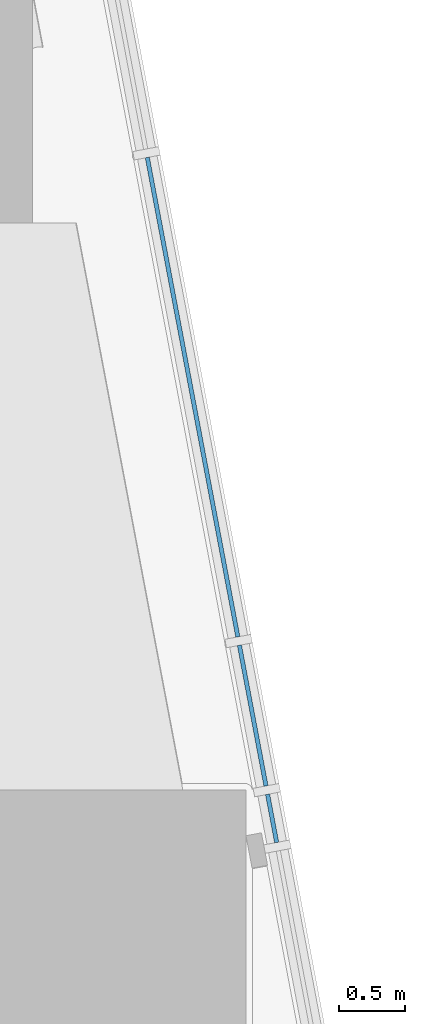
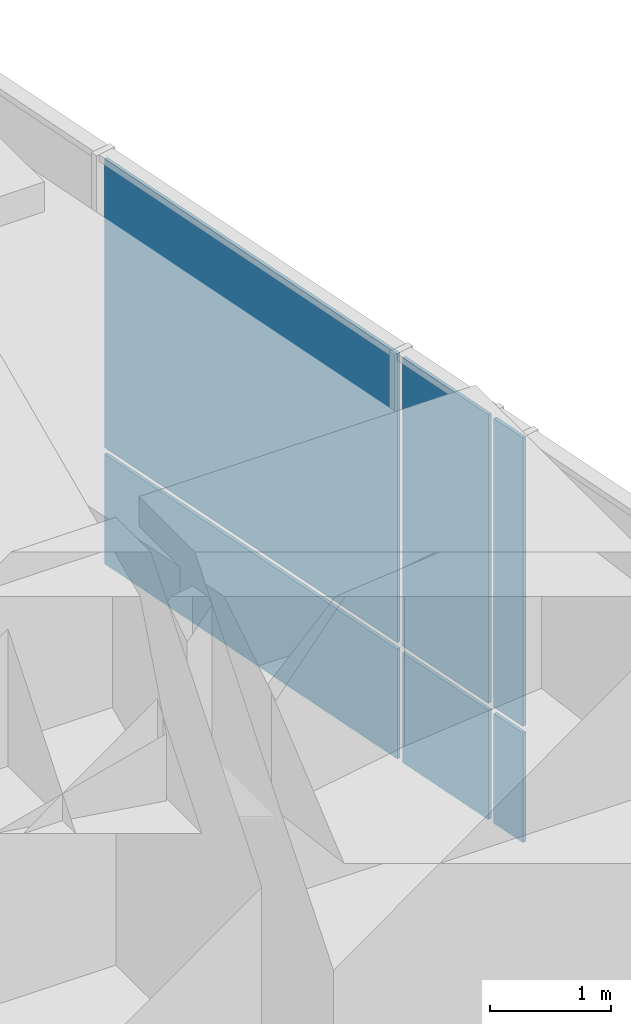
# One storey, part 11 of 23: 6 plates, 1 element without a shape of its own.
"""IFC4 building model written with IfcOpenShell, lengths in metres."""

from ifc_helpers import new_model, si_unit, direction, frame, origin, origin_2d, place, context, subcontext, project, spatial, rectangle, extrude, material, layer, layer_set, type_object, element, aggregate, save


model = new_model("IFC4")

# Units and contexts
model_context = context("Model", 3, precision=1e-05, world=origin(), true_north=direction((0.0, 1.0)))
body_context = subcontext(model_context, "Body", "Model", "MODEL_VIEW")
ifc_project = project(units=[si_unit("LENGTHUNIT", "METRE"), si_unit("AREAUNIT", "SQUARE_METRE"), si_unit("VOLUMEUNIT", "CUBIC_METRE"), si_unit("PLANEANGLEUNIT", "RADIAN"), si_unit("MASSUNIT", "GRAM", prefix="KILO")], contexts=[model_context])

# Site, building, storey
site_placement = place(None, origin())
site = spatial("IfcSite", under=ifc_project, at=site_placement, CompositionType="ELEMENT")
building_placement = place(site_placement, origin())
building = spatial("IfcBuilding", under=site, at=building_placement, Name="Sheger Commons Tower", CompositionType="ELEMENT")
storey_placement = place(building_placement, frame((0.0, 0.0, 5.60009765625)))
storey = spatial("IfcBuildingStorey", under=building, at=storey_placement, Name="L01", CompositionType="ELEMENT", Elevation=5.60009765625)

# Curtain wall, plates
ifc_material_1 = material(Name="Black aluminium curtain wall, dark tinted glazing", Category="aluminium")
curtain_wall_type = type_object("IfcCurtainWallType", Name="CURTAIN WALL CW2 HEALTH CENTRE", PredefinedType="USERDEFINED", material=ifc_material_1)
curtain_wall_placement = place(storey_placement, origin())
curtain_wall = element("IfcCurtainWall", 1, at=curtain_wall_placement, inside=storey, type_object=curtain_wall_type, Name="Curtain Wall Cw2 Health Centre E1 L01", ObjectType="STICK CURTAIN WALL", PredefinedType="USERDEFINED")
ifc_material_2 = material(Name="Dark tinted double glazing", Category="glass")
ifc_layer = layer(ifc_material_2, 0.031982421875)
ifc_layer_set = layer_set([ifc_layer], Name="GLAZED PANEL 32")
plate_type = type_object("IfcPlateType", Name="GLAZED PANEL 32", PredefinedType="CURTAIN_PANEL", material=ifc_layer_set)
plate_1_placement = place(storey_placement, frame((48.113037109375, 16.149169921875, 0.06494140625), z_axis=(0.0, 0.0, 1.0), x_axis=(-0.185609884918, 0.982623514181, 0.0)))
plate_1 = element("IfcPlate", 2, at=plate_1_placement, type_object=plate_type, Name="CW2 panel 6.1", PredefinedType="CURTAIN_PANEL", context=body_context, shape_type="SweptSolid", body=[
    extrude(rectangle(XDim=0.37109375, YDim=0.031982421875, at=origin_2d()), origin(), (0.0, 0.0, 1.0), 1.1025390625),
])
plate_2_placement = place(storey_placement, frame((48.113037109375, 16.149169921875, 1.232421875), z_axis=(0.0, 0.0, 1.0), x_axis=(-0.185609884918, 0.982623514181, 0.0)))
plate_2 = element("IfcPlate", 3, at=plate_2_placement, type_object=plate_type, Name="CW2 panel 6.2", PredefinedType="CURTAIN_PANEL", context=body_context, shape_type="SweptSolid", body=[
    extrude(rectangle(XDim=0.37109375, YDim=0.031982421875, at=origin_2d()), origin(), (0.0, 0.0, 1.0), 2.902587890625),
])
plate_3_placement = place(storey_placement, frame((47.9658203125, 16.928466796875, 0.06494140625), z_axis=(0.0, 0.0, 1.0), x_axis=(-0.185609884918, 0.982623514181, 0.0)))
plate_3 = element("IfcPlate", 4, at=plate_3_placement, type_object=plate_type, Name="CW2 panel 7.1", PredefinedType="CURTAIN_PANEL", context=body_context, shape_type="SweptSolid", body=[
    extrude(rectangle(XDim=1.0849609375, YDim=0.031982421875, at=origin_2d()), origin(), (0.0, 0.0, 1.0), 1.1025390625),
])
plate_4_placement = place(storey_placement, frame((47.9658203125, 16.928466796875, 1.232421875), z_axis=(0.0, 0.0, 1.0), x_axis=(-0.185609884918, 0.982623514181, 0.0)))
plate_4 = element("IfcPlate", 5, at=plate_4_placement, type_object=plate_type, Name="CW2 panel 7.2", PredefinedType="CURTAIN_PANEL", context=body_context, shape_type="SweptSolid", body=[
    extrude(rectangle(XDim=1.0849609375, YDim=0.031982421875, at=origin_2d()), origin(), (0.0, 0.0, 1.0), 2.902587890625),
])
plate_5_placement = place(storey_placement, frame((47.510009765625, 19.34228515625, 0.06494140625), z_axis=(0.0, 0.0, 1.0), x_axis=(-0.185609884918, 0.982623514181, 0.0)))
plate_5 = element("IfcPlate", 6, at=plate_5_placement, type_object=plate_type, Name="CW2 panel 8.1", PredefinedType="CURTAIN_PANEL", context=body_context, shape_type="SweptSolid", body=[
    extrude(rectangle(XDim=3.697998046875, YDim=0.031982421875, at=origin_2d()), origin(), (0.0, 0.0, 1.0), 1.1025390625),
])
plate_6_placement = place(storey_placement, frame((47.510009765625, 19.34228515625, 1.232421875), z_axis=(0.0, 0.0, 1.0), x_axis=(-0.185609884918, 0.982623514181, 0.0)))
plate_6 = element("IfcPlate", 7, at=plate_6_placement, type_object=plate_type, Name="CW2 panel 8.2", PredefinedType="CURTAIN_PANEL", context=body_context, shape_type="SweptSolid", body=[
    extrude(rectangle(XDim=3.697998046875, YDim=0.031982421875, at=origin_2d()), origin(), (0.0, 0.0, 1.0), 2.902587890625),
])
aggregate(curtain_wall, [plate_1, plate_2, plate_3, plate_4, plate_5, plate_6])

save(model, "model.ifc")
